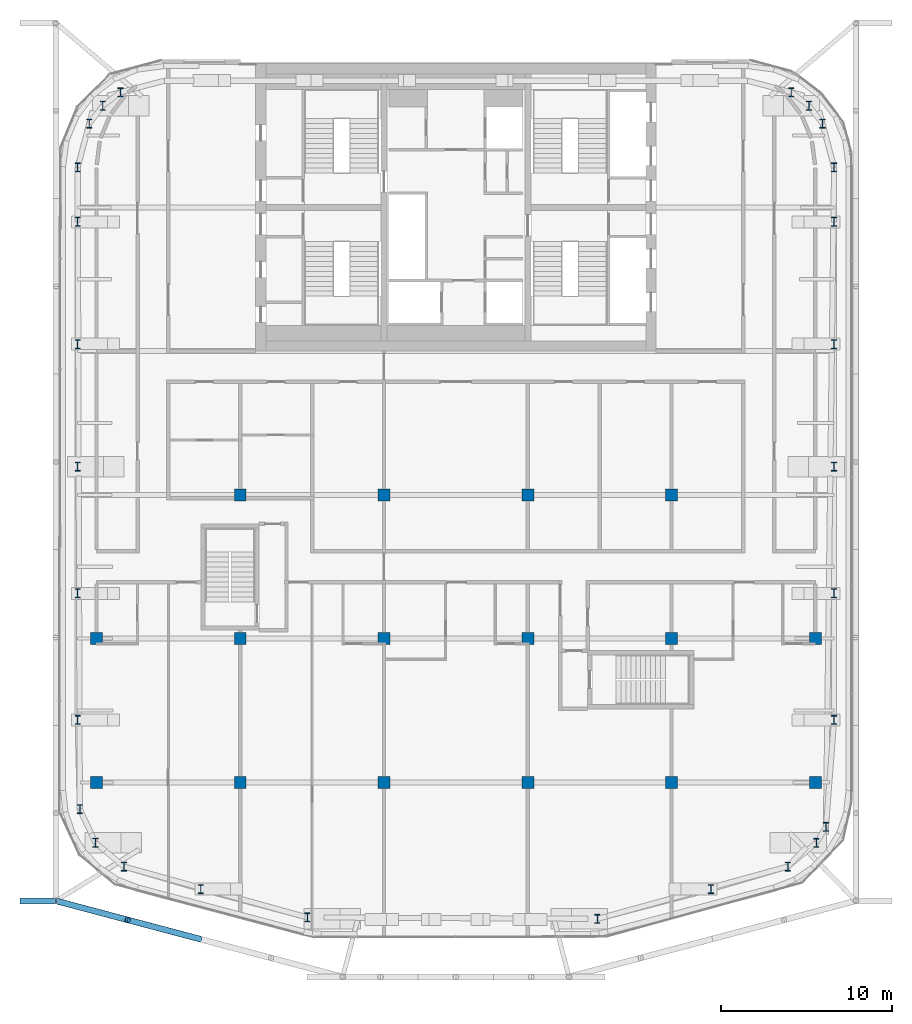
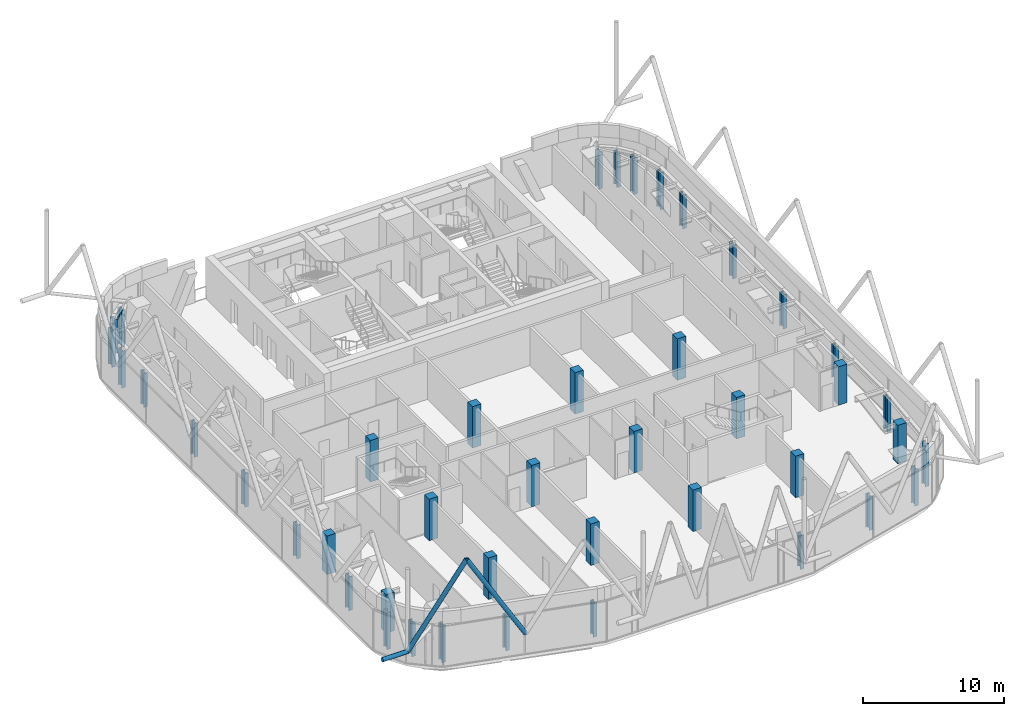
# One storey, part 1 of 25: 44 columns, 3 members.
"""IFC4 building model written with IfcOpenShell, lengths in metres."""

import ifcopenshell
import ifcopenshell.guid

model = None  # the IFC model being written
_history = None  # IfcOwnerHistory: only IFC2X3 demands one
_inside = {}  # id of a spatial element -> (the spatial element, [elements in it])
_under = {}  # id of a project, library or spatial element -> (it, [spatial elements below it])
_declared = {}  # id of a project -> (the project, [libraries it declares])
_typed = {}  # id of a type object -> (the type object, [elements of that type])
_made_of = {}  # id of a material, layer set ... -> (it, [elements and type objects made of it])


def new_model(schema):
    """Start an empty IFC model of exactly this schema.

    Asked for "IFC4X3", IfcOpenShell would pick the latest addendum, in which some entities
    have other attributes; the version numbers below select the first issue.
    IFC2X3 requires an IfcOwnerHistory on every rooted entity: one is made here for all.
    """
    global model, _history
    if schema == "IFC4X3":
        model = ifcopenshell.file(schema_version=(4, 3, 0, 0))
    else:
        model = ifcopenshell.file(schema=schema)
    _inside.clear()
    _under.clear()
    _declared.clear()
    _typed.clear()
    _made_of.clear()
    _history = None
    if model.schema == "IFC2X3":
        org = make("IfcOrganization", Name="unknown")
        user = make(
            "IfcPersonAndOrganization",
            ThePerson=make("IfcPerson", FamilyName="unknown"),
            TheOrganization=org,
        )
        app = make(
            "IfcApplication",
            ApplicationDeveloper=org,
            Version="unknown",
            ApplicationFullName="unknown",
            ApplicationIdentifier="unknown",
        )
        _history = make(
            "IfcOwnerHistory",
            OwningUser=user,
            OwningApplication=app,
            ChangeAction="ADDED",
            CreationDate=0,
        )
    return model


def make(cls, **values):
    """One entity of the class cls with the attributes given. An attribute that is None is left unset."""
    return model.create_entity(
        cls, **{name: value for name, value in values.items() if value is not None}
    )


def rooted(cls, **values):
    """An entity with a GlobalId (a new one), such as an element, a storey or a relation."""
    return make(cls, GlobalId=ifcopenshell.guid.new(), OwnerHistory=_history, **values)


def si_unit(unit_type, name, prefix=None):
    """IfcSIUnit, for example si_unit("LENGTHUNIT", "METRE", prefix="MILLI")."""
    return make("IfcSIUnit", UnitType=unit_type, Prefix=prefix, Name=name)


def assignment(units):
    """IfcUnitAssignment: the units of a project."""
    return None if units is None else make("IfcUnitAssignment", Units=units)


def point(xyz):
    """IfcCartesianPoint."""
    return None if xyz is None else make("IfcCartesianPoint", Coordinates=xyz)


def direction(xyz):
    """IfcDirection."""
    return None if xyz is None else make("IfcDirection", DirectionRatios=xyz)


def frame(location, z_axis=None, x_axis=None):
    """IfcAxis2Placement3D, a coordinate frame: its origin and axes. An axis left out is left unset."""
    return make(
        "IfcAxis2Placement3D",
        Location=point(location),
        Axis=direction(z_axis),
        RefDirection=direction(x_axis),
    )


def frame_2d(location, x_axis=None):
    """IfcAxis2Placement2D, a coordinate frame in the plane: its origin and x axis."""
    return make(
        "IfcAxis2Placement2D", Location=point(location), RefDirection=direction(x_axis)
    )


def origin():
    """The frame at (0, 0, 0) with its axes left unset."""
    return frame((0.0, 0.0, 0.0))


def origin_2d():
    """The frame at (0, 0) in the plane with its x axis left unset."""
    return frame_2d((0.0, 0.0))


def place(relative_to, where):
    """IfcLocalPlacement: puts the frame where relative to a parent placement (None: the world)."""
    return make(
        "IfcLocalPlacement", PlacementRelTo=relative_to, RelativePlacement=where
    )


def context(
    kind, dimensions, precision=None, world=None, true_north=None, identifier=None
):
    """IfcGeometricRepresentationContext, for example the 3D "Model" context."""
    return make(
        "IfcGeometricRepresentationContext",
        ContextIdentifier=identifier,
        ContextType=kind,
        CoordinateSpaceDimension=dimensions,
        Precision=precision,
        WorldCoordinateSystem=world,
        TrueNorth=true_north,
    )


def subcontext(parent, identifier, kind, view, scale=None):
    """IfcGeometricRepresentationSubContext, for example "Body" below "Model"."""
    return make(
        "IfcGeometricRepresentationSubContext",
        ContextIdentifier=identifier,
        ContextType=kind,
        ParentContext=parent,
        TargetScale=scale,
        TargetView=view,
    )


def project(units=None, contexts=None):
    """IfcProject with its units and contexts."""
    return rooted(
        "IfcProject",
        Name="project",
        RepresentationContexts=contexts,
        UnitsInContext=assignment(units),
    )


def spatial(cls, under=None, at=None, **own):
    """A site, building, storey or space (cls), placed at a placement, below another one or the project."""
    s = rooted(cls, ObjectPlacement=at, **own)
    if under is not None:
        _under.setdefault(under.id(), (under, []))[1].append(s)
    return s


def profile(cls, at=None, kind="AREA", **sizes):
    """A parametric profile (cls). Its sizes go by their IFC names, for example OverallWidth=200.0."""
    return make(cls, ProfileType=kind, Position=at, **sizes)


def rectangle(**sizes):
    """IfcRectangleProfileDef."""
    return profile("IfcRectangleProfileDef", **sizes)


def hollow_circle(**sizes):
    """IfcCircleHollowProfileDef."""
    return profile("IfcCircleHollowProfileDef", **sizes)


def i_section(**sizes):
    """IfcIShapeProfileDef."""
    return profile("IfcIShapeProfileDef", **sizes)


def extrude(swept, where, along, depth):
    """IfcExtrudedAreaSolid: the profile swept, set in the frame where, extruded along a direction by depth."""
    return make(
        "IfcExtrudedAreaSolid",
        SweptArea=swept,
        Position=where,
        ExtrudedDirection=direction(along),
        Depth=depth,
    )


def shape(context_of_items, identifier, shape_type, items):
    """IfcShapeRepresentation: the items that make up one representation, for example the "Body"."""
    return make(
        "IfcShapeRepresentation",
        ContextOfItems=context_of_items,
        RepresentationIdentifier=identifier,
        RepresentationType=shape_type,
        Items=items,
    )


def material(Name=None, Category=None):
    """IfcMaterial."""
    return make("IfcMaterial", Name=Name, Category=Category)


def material_profile(
    of_material, cross_section, Name=None, Category=None, Priority=None
):
    """IfcMaterialProfile: a cross section and its material."""
    return make(
        "IfcMaterialProfile",
        Name=Name,
        Material=of_material,
        Profile=cross_section,
        Priority=Priority,
        Category=Category,
    )


def profile_set(profiles, Name=None, composite=None):
    """IfcMaterialProfileSet."""
    return make(
        "IfcMaterialProfileSet",
        Name=Name,
        MaterialProfiles=profiles,
        CompositeProfile=composite,
    )


def made_of(thing, what):
    """Note that an element or type object is made of a material, layer set ...; save() writes the relation."""
    if what is not None:
        _made_of.setdefault(what.id(), (what, []))[1].append(thing)
    return thing


def type_object(cls, material=None, **own):
    """A type object (cls), such as IfcWallType, which elements share."""
    return made_of(rooted(cls, **own), material)


def element(
    cls,
    number,
    at=None,
    inside=None,
    cuts=None,
    type_object=None,
    material=None,
    context=None,
    identifier="Body",
    shape_type=None,
    held_by="IfcProductDefinitionShape",
    body=None,
    shapes=None,
    **own,
):
    """One element of the class cls, such as IfcWall. Its Tag is "e" and its number.

    at: its placement. inside: the storey or other place that contains it. cuts: it is an
    opening in that element (IfcRelVoidsElement). A single representation is given by context,
    identifier, shape_type and body (its items); several are given by shapes. held_by: the class
    of the entity that holds the representations. save() writes the other relations.
    """
    e = rooted(cls, Tag="e%d" % number, ObjectPlacement=at, **own)
    if body is not None:
        shapes = [shape(context, identifier, shape_type, body)]
    if shapes is not None:
        e.Representation = make(held_by, Representations=shapes)
    if inside is not None:
        _inside.setdefault(inside.id(), (inside, []))[1].append(e)
    if cuts is not None:
        rooted(
            "IfcRelVoidsElement", RelatingBuildingElement=cuts, RelatedOpeningElement=e
        )
    if type_object is not None:
        _typed.setdefault(type_object.id(), (type_object, []))[1].append(e)
    return made_of(e, material)


def aggregate(whole, parts):
    """IfcRelAggregates: a whole, such as a stair, and the parts it consists of."""
    return rooted("IfcRelAggregates", RelatingObject=whole, RelatedObjects=parts)


def save(model, path):
    """Write the relations noted so far, then the file.

    IfcRelAggregates (storeys below a building ...), IfcRelContainedInSpatialStructure (elements
    in a storey), IfcRelDefinesByType, IfcRelAssociatesMaterial and IfcRelDeclares: one each for
    every whole, place, type object, material and project.
    """
    for whole, parts in _under.values():
        aggregate(whole, parts)
    for where, things in _inside.values():
        rooted(
            "IfcRelContainedInSpatialStructure",
            RelatedElements=things,
            RelatingStructure=where,
        )
    for kind, things in _typed.values():
        rooted("IfcRelDefinesByType", RelatedObjects=things, RelatingType=kind)
    for what, things in _made_of.values():
        rooted("IfcRelAssociatesMaterial", RelatedObjects=things, RelatingMaterial=what)
    for by, libraries in _declared.values():
        rooted("IfcRelDeclares", RelatingContext=by, RelatedDefinitions=libraries)
    model.write(path)


model = new_model("IFC4")

# Units and contexts
model_context = context("Model", 3, precision=1e-05, world=origin(), true_north=direction((0.0, 1.0)))
body_context = subcontext(model_context, "Body", "Model", "MODEL_VIEW")
ifc_project = project(units=[si_unit("LENGTHUNIT", "METRE"), si_unit("AREAUNIT", "SQUARE_METRE"), si_unit("VOLUMEUNIT", "CUBIC_METRE"), si_unit("PLANEANGLEUNIT", "RADIAN"), si_unit("MASSUNIT", "GRAM", prefix="KILO")], contexts=[model_context])

# Site, building, storey
site_placement = place(None, origin())
site = spatial("IfcSite", under=ifc_project, at=site_placement, CompositionType="ELEMENT")
building_placement = place(site_placement, origin())
building = spatial("IfcBuilding", under=site, at=building_placement, Name="Marenta Gate Hotel Tower", CompositionType="ELEMENT")
storey_placement = place(building_placement, frame((0.0, 0.0, 277.699951171875)))
storey = spatial("IfcBuildingStorey", under=building, at=storey_placement, Name="L64", CompositionType="ELEMENT", Elevation=277.699951171875)

# Columns
ifc_material_1 = material(Name="Concrete C50", Category="concrete")
ifc_material_profile_1 = material_profile(ifc_material_1, rectangle(XDim=0.699951171875, YDim=0.699951171875, at=origin_2d()), Name="700 x 700")
ifc_profile_set_1 = profile_set([ifc_material_profile_1], Name="Concrete C50")
column_type_1 = type_object("IfcColumnType", Name="Interior column 700 x 700 C50", PredefinedType="COLUMN", material=ifc_profile_set_1)
for number, where, z_axis, x_axis, name in (
    (1, (-21.0, -25.199951171875, 0.0), (0.0, 0.0, 1.0), (1.0, 0.0, 0.0), "L64-IC-4C"),
    (2, (-21.0, -16.800048828125, 0.0), (0.0, 0.0, 1.0), (1.0, 0.0, 0.0), "L64-IC-4D"),
):
    element("IfcColumn", number, at=place(storey_placement, frame(where, z_axis=z_axis, x_axis=x_axis)), inside=storey, type_object=column_type_1, Name=name, PredefinedType="COLUMN", context=body_context, shape_type="SweptSolid", body=[
        extrude(rectangle(XDim=0.699951171875, YDim=0.699951171875, at=origin_2d()), origin(), (0.0, 0.0, 1.0), 3.340087890625),
    ])
for number, where, z_axis, x_axis, name in (
    (3, (-12.60009765625, -25.199951171875, 0.0), (0.0, 0.0, 1.0), (1.0, 0.0, 0.0), "L64-IC-5C"),
    (4, (-12.60009765625, -16.800048828125, 0.0), (0.0, 0.0, 1.0), (1.0, 0.0, 0.0), "L64-IC-5D"),
    (5, (-12.60009765625, -8.39990234375, 0.0), (0.0, 0.0, 1.0), (1.0, 0.0, 0.0), "L64-IC-5E"),
    (6, (-4.199951171875, -25.199951171875, 0.0), (0.0, 0.0, 1.0), (1.0, 0.0, 0.0), "L64-IC-6C"),
    (7, (-4.199951171875, -16.800048828125, 0.0), (0.0, 0.0, 1.0), (1.0, 0.0, 0.0), "L64-IC-6D"),
    (8, (-4.199951171875, -8.39990234375, 0.0), (0.0, 0.0, 1.0), (1.0, 0.0, 0.0), "L64-IC-6E"),
    (9, (4.199951171875, -25.199951171875, 0.0), (0.0, 0.0, 1.0), (1.0, 0.0, 0.0), "L64-IC-7C"),
    (10, (4.199951171875, -16.800048828125, 0.0), (0.0, 0.0, 1.0), (1.0, 0.0, 0.0), "L64-IC-7D"),
    (11, (4.199951171875, -8.39990234375, 0.0), (0.0, 0.0, 1.0), (1.0, 0.0, 0.0), "L64-IC-7E"),
    (12, (12.60009765625, -25.199951171875, 0.0), (0.0, 0.0, 1.0), (1.0, 0.0, 0.0), "L64-IC-8C"),
    (13, (12.60009765625, -16.800048828125, 0.0), (0.0, 0.0, 1.0), (1.0, 0.0, 0.0), "L64-IC-8D"),
    (14, (12.60009765625, -8.39990234375, 0.0), (0.0, 0.0, 1.0), (1.0, 0.0, 0.0), "L64-IC-8E"),
):
    element("IfcColumn", number, at=place(storey_placement, frame(where, z_axis=z_axis, x_axis=x_axis)), inside=storey, type_object=column_type_1, Name=name, PredefinedType="COLUMN", context=body_context, shape_type="SweptSolid", body=[
        extrude(rectangle(XDim=0.699951171875, YDim=0.699951171875, at=origin_2d()), origin(), (0.0, 0.0, 1.0), 3.60009765625),
    ])
for number, where, z_axis, x_axis, name in (
    (15, (21.0, -25.199951171875, 0.0), (0.0, 0.0, 1.0), (1.0, 0.0, 0.0), "L64-IC-9C"),
    (16, (21.0, -16.800048828125, 0.0), (0.0, 0.0, 1.0), (1.0, 0.0, 0.0), "L64-IC-9D"),
):
    element("IfcColumn", number, at=place(storey_placement, frame(where, z_axis=z_axis, x_axis=x_axis)), inside=storey, type_object=column_type_1, Name=name, PredefinedType="COLUMN", context=body_context, shape_type="SweptSolid", body=[
        extrude(rectangle(XDim=0.699951171875, YDim=0.699951171875, at=origin_2d()), origin(), (0.0, 0.0, 1.0), 3.340087890625),
    ])
ifc_material_2 = material(Name="Steel S355", Category="steel")
ifc_material_profile_2 = material_profile(ifc_material_2, i_section(OverallWidth=0.305908203125, OverallDepth=0.52392578125, WebThickness=0.02392578125, FlangeThickness=0.0400390625, FilletRadius=0.027099609375, at=origin_2d()), Name="HEM 500")
ifc_profile_set_2 = profile_set([ifc_material_profile_2], Name="Steel S355")
column_type_2 = type_object("IfcColumnType", Name="Terrace post HEM 500", PredefinedType="COLUMN", material=ifc_profile_set_2)
for number, where, z_axis, x_axis, name in (
    (17, (-8.678955078125, -33.09130859375, 0.0), (0.0, 0.0, 1.0), (1.0, 0.0, 0.0), "TP-HEM500 L64-TP-1"),
    (18, (-14.90673828125, -31.439208984375, 0.0), (0.0, 0.0, 1.0), (1.0, 0.0, 0.0), "TP-HEM500 L64-TP-2"),
):
    element("IfcColumn", number, at=place(storey_placement, frame(where, z_axis=z_axis, x_axis=x_axis)), inside=storey, type_object=column_type_2, Name=name, PredefinedType="COLUMN", context=body_context, shape_type="SweptSolid", body=[
        extrude(i_section(OverallWidth=0.305908203125, OverallDepth=0.52392578125, WebThickness=0.02392578125, FlangeThickness=0.0400390625, FilletRadius=0.027099609375, at=origin_2d()), origin(), (0.0, 0.0, 1.0), 2.93994140625),
    ])
column_1_placement = place(storey_placement, frame((-19.396728515625, -30.11865234375, -0.260009765625), z_axis=(0.0, 0.0, 1.0), x_axis=(1.0, 0.0, 0.0)))
element("IfcColumn", 19, at=column_1_placement, inside=storey, type_object=column_type_2, Name="TP-HEM500 L64-TP-3", PredefinedType="COLUMN", context=body_context, shape_type="SweptSolid", body=[
    extrude(i_section(OverallWidth=0.305908203125, OverallDepth=0.52392578125, WebThickness=0.02392578125, FlangeThickness=0.0400390625, FilletRadius=0.027099609375, at=origin_2d()), origin(), (0.0, 0.0, 1.0), 3.199951171875),
])
column_2_placement = place(storey_placement, frame((-21.058349609375, -28.729248046875, 0.0), z_axis=(0.0, 0.0, 1.0), x_axis=(1.0, 0.0, 0.0)))
element("IfcColumn", 20, at=column_2_placement, inside=storey, type_object=column_type_2, Name="TP-HEM500 L64-TP-4", PredefinedType="COLUMN", context=body_context, shape_type="SweptSolid", body=[
    extrude(i_section(OverallWidth=0.305908203125, OverallDepth=0.52392578125, WebThickness=0.02392578125, FlangeThickness=0.0400390625, FilletRadius=0.027099609375, at=origin_2d()), origin(), (0.0, 0.0, 1.0), 2.93994140625),
])
column_3_placement = place(storey_placement, frame((-21.97509765625, -26.76708984375, -0.260009765625), z_axis=(0.0, 0.0, 1.0), x_axis=(1.0, 0.0, 0.0)))
element("IfcColumn", 21, at=column_3_placement, inside=storey, type_object=column_type_2, Name="TP-HEM500 L64-TP-5", PredefinedType="COLUMN", context=body_context, shape_type="SweptSolid", body=[
    extrude(i_section(OverallWidth=0.305908203125, OverallDepth=0.52392578125, WebThickness=0.02392578125, FlangeThickness=0.0400390625, FilletRadius=0.027099609375, at=origin_2d()), origin(), (0.0, 0.0, 1.0), 3.199951171875),
])
for number, where, z_axis, x_axis, name in (
    (22, (-22.10009765625, -21.552001953125, 0.0), (0.0, 0.0, 1.0), (1.0, 0.0, 0.0), "TP-HEM500 L64-TP-6"),
    (23, (-22.10009765625, -14.15087890625, 0.0), (0.0, 0.0, 1.0), (1.0, 0.0, 0.0), "TP-HEM500 L64-TP-7"),
    (24, (-22.10009765625, -6.75, 0.0), (0.0, 0.0, 1.0), (1.0, 0.0, 0.0), "TP-HEM500 L64-TP-8"),
    (25, (-22.10009765625, 0.4033203125, 0.0), (0.0, 0.0, 1.0), (1.0, 0.0, 0.0), "TP-HEM500 L64-TP-9"),
    (26, (-22.10009765625, 7.556396484375, 0.0), (0.0, 0.0, 1.0), (1.0, 0.0, 0.0), "TP-HEM500 L64-TP-10"),
):
    element("IfcColumn", number, at=place(storey_placement, frame(where, z_axis=z_axis, x_axis=x_axis)), inside=storey, type_object=column_type_2, Name=name, PredefinedType="COLUMN", context=body_context, shape_type="SweptSolid", body=[
        extrude(i_section(OverallWidth=0.305908203125, OverallDepth=0.52392578125, WebThickness=0.02392578125, FlangeThickness=0.0400390625, FilletRadius=0.027099609375, at=origin_2d()), origin(), (0.0, 0.0, 1.0), 2.93994140625),
    ])
for number, where, z_axis, x_axis, name in (
    (27, (-22.10009765625, 10.734375, -0.260009765625), (0.0, 0.0, 1.0), (1.0, 0.0, 0.0), "TP-HEM500 L64-TP-11"),
    (28, (-21.422607421875, 13.295654296875, -0.260009765625), (0.0, 0.0, 1.0), (1.0, 0.0, 0.0), "TP-HEM500 L64-TP-12"),
):
    element("IfcColumn", number, at=place(storey_placement, frame(where, z_axis=z_axis, x_axis=x_axis)), inside=storey, type_object=column_type_2, Name=name, PredefinedType="COLUMN", context=body_context, shape_type="SweptSolid", body=[
        extrude(i_section(OverallWidth=0.305908203125, OverallDepth=0.52392578125, WebThickness=0.02392578125, FlangeThickness=0.0400390625, FilletRadius=0.027099609375, at=origin_2d()), origin(), (0.0, 0.0, 1.0), 3.199951171875),
    ])
column_4_placement = place(storey_placement, frame((-20.635498046875, 14.33544921875, 0.0), z_axis=(0.0, 0.0, 1.0), x_axis=(1.0, 0.0, 0.0)))
element("IfcColumn", 29, at=column_4_placement, inside=storey, type_object=column_type_2, Name="TP-HEM500 L64-TP-13", PredefinedType="COLUMN", context=body_context, shape_type="SweptSolid", body=[
    extrude(i_section(OverallWidth=0.305908203125, OverallDepth=0.52392578125, WebThickness=0.02392578125, FlangeThickness=0.0400390625, FilletRadius=0.027099609375, at=origin_2d()), origin(), (0.0, 0.0, 1.0), 2.93994140625),
])
for number, where, z_axis, x_axis, name in (
    (30, (-19.595703125, 15.122802734375, -0.260009765625), (0.0, 0.0, 1.0), (1.0, 0.0, 0.0), "TP-HEM500 L64-TP-14"),
    (31, (19.595703125, 15.122802734375, -0.260009765625), (0.0, 0.0, 1.0), (1.0, 0.0, 0.0), "TP-HEM500 L64-TP-15"),
):
    element("IfcColumn", number, at=place(storey_placement, frame(where, z_axis=z_axis, x_axis=x_axis)), inside=storey, type_object=column_type_2, Name=name, PredefinedType="COLUMN", context=body_context, shape_type="SweptSolid", body=[
        extrude(i_section(OverallWidth=0.305908203125, OverallDepth=0.52392578125, WebThickness=0.02392578125, FlangeThickness=0.0400390625, FilletRadius=0.027099609375, at=origin_2d()), origin(), (0.0, 0.0, 1.0), 3.199951171875),
    ])
column_5_placement = place(storey_placement, frame((20.635498046875, 14.33544921875, 0.0), z_axis=(0.0, 0.0, 1.0), x_axis=(1.0, 0.0, 0.0)))
element("IfcColumn", 32, at=column_5_placement, inside=storey, type_object=column_type_2, Name="TP-HEM500 L64-TP-16", PredefinedType="COLUMN", context=body_context, shape_type="SweptSolid", body=[
    extrude(i_section(OverallWidth=0.305908203125, OverallDepth=0.52392578125, WebThickness=0.02392578125, FlangeThickness=0.0400390625, FilletRadius=0.027099609375, at=origin_2d()), origin(), (0.0, 0.0, 1.0), 2.93994140625),
])
for number, where, z_axis, x_axis, name in (
    (33, (21.422607421875, 13.295654296875, -0.260009765625), (0.0, 0.0, 1.0), (1.0, 0.0, 0.0), "TP-HEM500 L64-TP-17"),
    (34, (22.10009765625, 10.734375, -0.260009765625), (0.0, 0.0, 1.0), (1.0, 0.0, 0.0), "TP-HEM500 L64-TP-18"),
):
    element("IfcColumn", number, at=place(storey_placement, frame(where, z_axis=z_axis, x_axis=x_axis)), inside=storey, type_object=column_type_2, Name=name, PredefinedType="COLUMN", context=body_context, shape_type="SweptSolid", body=[
        extrude(i_section(OverallWidth=0.305908203125, OverallDepth=0.52392578125, WebThickness=0.02392578125, FlangeThickness=0.0400390625, FilletRadius=0.027099609375, at=origin_2d()), origin(), (0.0, 0.0, 1.0), 3.199951171875),
    ])
for number, where, z_axis, x_axis, name in (
    (35, (22.10009765625, 7.556396484375, 0.0), (0.0, 0.0, 1.0), (1.0, 0.0, 0.0), "TP-HEM500 L64-TP-19"),
    (36, (22.10009765625, 0.4033203125, 0.0), (0.0, 0.0, 1.0), (1.0, 0.0, 0.0), "TP-HEM500 L64-TP-20"),
    (37, (22.10009765625, -6.75, 0.0), (0.0, 0.0, 1.0), (1.0, 0.0, 0.0), "TP-HEM500 L64-TP-21"),
    (38, (22.10009765625, -14.15087890625, 0.0), (0.0, 0.0, 1.0), (1.0, 0.0, 0.0), "TP-HEM500 L64-TP-22"),
    (39, (22.10009765625, -21.552001953125, 0.0), (0.0, 0.0, 1.0), (1.0, 0.0, 0.0), "TP-HEM500 L64-TP-23"),
):
    element("IfcColumn", number, at=place(storey_placement, frame(where, z_axis=z_axis, x_axis=x_axis)), inside=storey, type_object=column_type_2, Name=name, PredefinedType="COLUMN", context=body_context, shape_type="SweptSolid", body=[
        extrude(i_section(OverallWidth=0.305908203125, OverallDepth=0.52392578125, WebThickness=0.02392578125, FlangeThickness=0.0400390625, FilletRadius=0.027099609375, at=origin_2d()), origin(), (0.0, 0.0, 1.0), 2.93994140625),
    ])
column_6_placement = place(storey_placement, frame((21.62451171875, -27.798583984375, -0.260009765625), z_axis=(0.0, 0.0, 1.0), x_axis=(1.0, 0.0, 0.0)))
element("IfcColumn", 40, at=column_6_placement, inside=storey, type_object=column_type_2, Name="TP-HEM500 L64-TP-24", PredefinedType="COLUMN", context=body_context, shape_type="SweptSolid", body=[
    extrude(i_section(OverallWidth=0.305908203125, OverallDepth=0.52392578125, WebThickness=0.02392578125, FlangeThickness=0.0400390625, FilletRadius=0.027099609375, at=origin_2d()), origin(), (0.0, 0.0, 1.0), 3.199951171875),
])
column_7_placement = place(storey_placement, frame((21.06298828125, -28.73291015625, 0.0), z_axis=(0.0, 0.0, 1.0), x_axis=(1.0, 0.0, 0.0)))
element("IfcColumn", 41, at=column_7_placement, inside=storey, type_object=column_type_2, Name="TP-HEM500 L64-TP-25", PredefinedType="COLUMN", context=body_context, shape_type="SweptSolid", body=[
    extrude(i_section(OverallWidth=0.305908203125, OverallDepth=0.52392578125, WebThickness=0.02392578125, FlangeThickness=0.0400390625, FilletRadius=0.027099609375, at=origin_2d()), origin(), (0.0, 0.0, 1.0), 2.93994140625),
])
column_8_placement = place(storey_placement, frame((19.396728515625, -30.11865234375, -0.260009765625), z_axis=(0.0, 0.0, 1.0), x_axis=(1.0, 0.0, 0.0)))
element("IfcColumn", 42, at=column_8_placement, inside=storey, type_object=column_type_2, Name="TP-HEM500 L64-TP-26", PredefinedType="COLUMN", context=body_context, shape_type="SweptSolid", body=[
    extrude(i_section(OverallWidth=0.305908203125, OverallDepth=0.52392578125, WebThickness=0.02392578125, FlangeThickness=0.0400390625, FilletRadius=0.027099609375, at=origin_2d()), origin(), (0.0, 0.0, 1.0), 3.199951171875),
])
for number, where, z_axis, x_axis, name in (
    (43, (14.90673828125, -31.439208984375, 0.0), (0.0, 0.0, 1.0), (1.0, 0.0, 0.0), "TP-HEM500 L64-TP-27"),
    (44, (8.265869140625, -33.172607421875, 0.0), (0.0, 0.0, 1.0), (1.0, 0.0, 0.0), "TP-HEM500 L64-TP-28"),
):
    element("IfcColumn", number, at=place(storey_placement, frame(where, z_axis=z_axis, x_axis=x_axis)), inside=storey, type_object=column_type_2, Name=name, PredefinedType="COLUMN", context=body_context, shape_type="SweptSolid", body=[
        extrude(i_section(OverallWidth=0.305908203125, OverallDepth=0.52392578125, WebThickness=0.02392578125, FlangeThickness=0.0400390625, FilletRadius=0.027099609375, at=origin_2d()), origin(), (0.0, 0.0, 1.0), 2.93994140625),
    ])

# Members
ifc_material_3 = material(Name="Steel S355J2W", Category="steel")
ifc_material_profile_3 = material_profile(ifc_material_3, hollow_circle(Radius=0.177734375, WallThickness=0.01611328125, at=origin_2d()), Name="CHS 355.6x16")
ifc_profile_set_3 = profile_set([ifc_material_profile_3], Name="Steel S355J2W")
member_type_1 = type_object("IfcMemberType", Name="Diagrid diagonal C CHS 355.6x16", PredefinedType="BRACE", material=ifc_profile_set_3)
member_1_placement = place(storey_placement, frame((-14.989501953125, -34.3466796875, 3.14013671875), z_axis=(-0.498573463173, 0.132290599038, 0.856693468649), x_axis=(-0.256463689668, -0.966553866001, 0.0)))
element("IfcMember", 45, at=member_1_placement, inside=storey, type_object=member_type_1, Name="L64-DG-23", PredefinedType="BRACE", context=body_context, shape_type="SweptSolid", body=[
    extrude(hollow_circle(Radius=0.177734375, WallThickness=0.01611328125, at=origin_2d()), origin(), (0.0, 0.0, 1.0), 8.404296875),
])
member_2_placement = place(storey_placement, frame((-23.3701171875, -32.123291015625, 3.14013671875), z_axis=(0.498597206891, -0.132260142331, 0.856684352624), x_axis=(0.256397119721, 0.966571527099, 0.0)))
element("IfcMember", 46, at=member_2_placement, inside=storey, type_object=member_type_1, Name="L64-DG-24", PredefinedType="BRACE", context=body_context, shape_type="SweptSolid", body=[
    extrude(hollow_circle(Radius=0.177734375, WallThickness=0.01611328125, at=origin_2d()), origin(), (0.0, 0.0, 1.0), 8.404541015625),
])
ifc_material_4 = material(Name="Steel S355J2W", Category="steel")
ifc_material_profile_4 = material_profile(ifc_material_4, hollow_circle(Radius=0.177734375, WallThickness=0.01611328125, at=origin_2d()), Name="CHS 355.6x16")
ifc_profile_set_4 = profile_set([ifc_material_profile_4], Name="Steel S355J2W")
member_type_2 = type_object("IfcMemberType", Name="Setback strut CHS 355.6x16", PredefinedType="STRUT", material=ifc_profile_set_4)
member_3_placement = place(storey_placement, frame((-25.469970703125, -32.123291015625, 3.14013671875), z_axis=(1.0, 0.0, 0.0), x_axis=(0.0, 1.0, 0.0)))
element("IfcMember", 47, at=member_3_placement, inside=storey, type_object=member_type_2, Name="L64-DR-5", PredefinedType="STRUT", context=body_context, shape_type="SweptSolid", body=[
    extrude(hollow_circle(Radius=0.177734375, WallThickness=0.01611328125, at=origin_2d()), origin(), (0.0, 0.0, 1.0), 2.099853515625),
])

save(model, "model.ifc")
